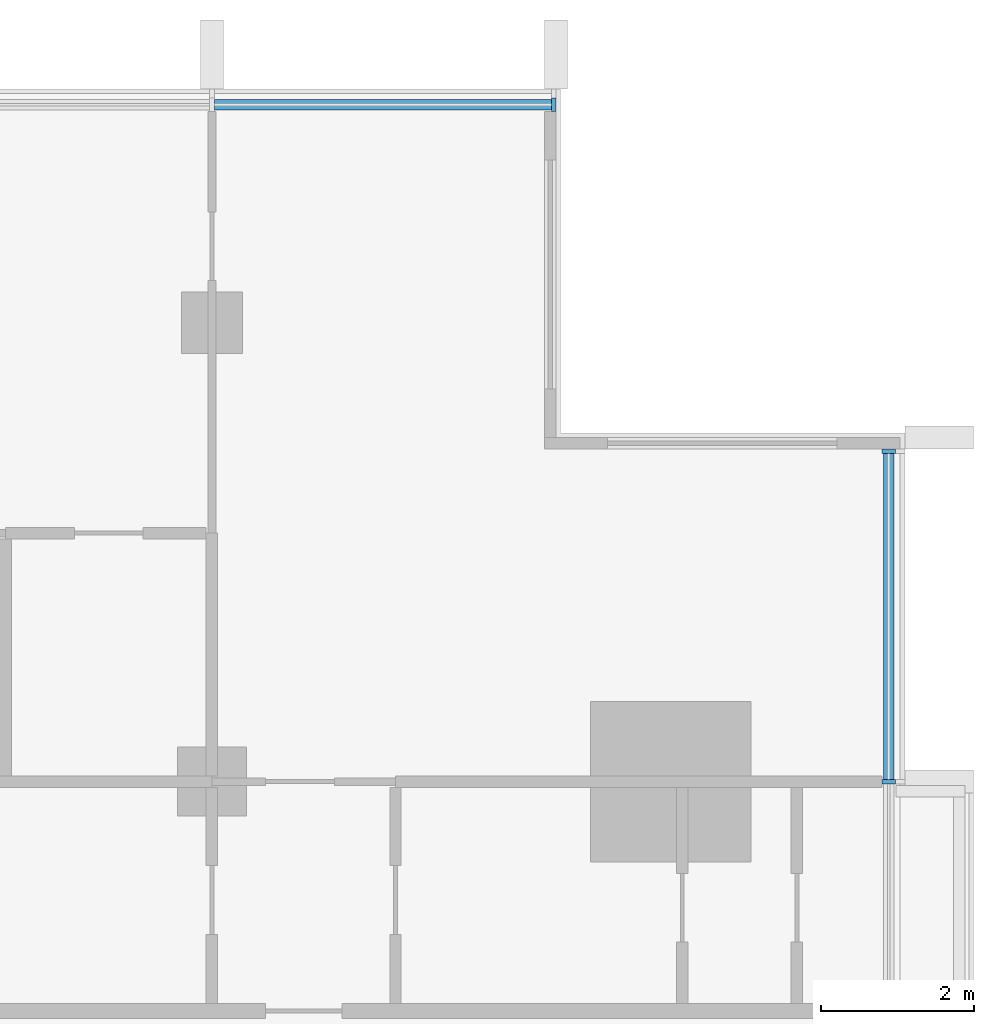
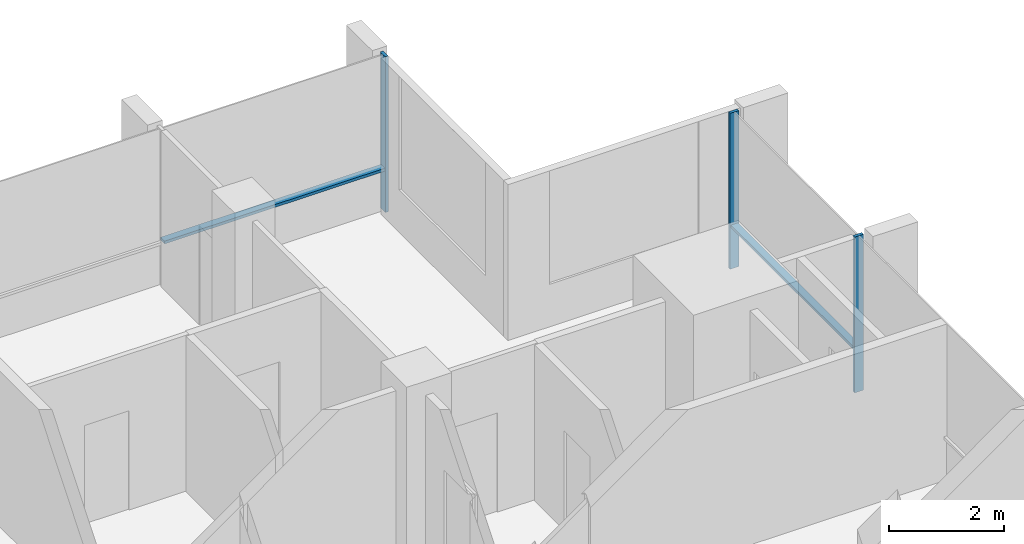
# One storey, part 5 of 16: 5 members, 2 elements without a shape of their own.
"""IFC4 building model written with IfcOpenShell, lengths in metres."""

from ifc_helpers import new_model, si_unit, direction, frame, origin, origin_2d, place, context, subcontext, project, spatial, rectangle, extrude, material, material_profile, profile_set, type_object, element, aggregate, save


model = new_model("IFC4")

# Units and contexts
model_context = context("Model", 3, precision=1e-05, world=origin(), true_north=direction((0.0, 1.0)))
body_context = subcontext(model_context, "Body", "Model", "MODEL_VIEW")
ifc_project = project(units=[si_unit("LENGTHUNIT", "METRE"), si_unit("AREAUNIT", "SQUARE_METRE"), si_unit("VOLUMEUNIT", "CUBIC_METRE"), si_unit("PLANEANGLEUNIT", "RADIAN"), si_unit("MASSUNIT", "GRAM", prefix="KILO")], contexts=[model_context])

# Site, building, storey
site_placement = place(None, origin())
site = spatial("IfcSite", under=ifc_project, at=site_placement, CompositionType="ELEMENT")
building_placement = place(site_placement, origin())
building = spatial("IfcBuilding", under=site, at=building_placement, Name="Finial Court Residences", CompositionType="ELEMENT")
storey_placement = place(building_placement, frame((0.0, 0.0, 212.300048828125)))
storey = spatial("IfcBuildingStorey", under=building, at=storey_placement, Name="L53", CompositionType="ELEMENT", Elevation=212.300048828125)

# Curtain wall, member
ifc_material = material(Name="Bronze anodised aluminium", Category="aluminium")
curtain_wall_type = type_object("IfcCurtainWallType", Name="Unitised curtain wall, upper zones", PredefinedType="NOTDEFINED", material=ifc_material)
curtain_wall_1_placement = place(storey_placement, origin())
curtain_wall_1 = element("IfcCurtainWall", 1, at=curtain_wall_1_placement, inside=storey, type_object=curtain_wall_type, Name="E-L53-CW-N3", PredefinedType="NOTDEFINED")
ifc_material_profile_1 = material_profile(ifc_material, rectangle(XDim=0.175048828125, YDim=0.06005859375, at=origin_2d()), Name="CW2 mullion 60 x 175")
ifc_profile_set_1 = profile_set([ifc_material_profile_1], Name="Bronze anodised aluminium")
member_type_1 = type_object("IfcMemberType", Name="CW2 mullion 60 x 175", PredefinedType="MULLION", material=ifc_profile_set_1)
member_1_placement = place(storey_placement, frame((14.969970703125, 16.35009765625, 0.0), z_axis=(0.0, 0.0, 1.0), x_axis=(0.0, 1.0, 0.0)))
member_1 = element("IfcMember", 2, at=member_1_placement, type_object=member_type_1, Name="CW2 mullion 3", PredefinedType="MULLION", context=body_context, shape_type="SweptSolid", body=[
    extrude(rectangle(XDim=0.175048828125, YDim=0.06005859375, at=origin_2d()), origin(), (0.0, 0.0, 1.0), 3.300048828125),
])

# Curtain wall, members
curtain_wall_2_placement = place(storey_placement, origin())
curtain_wall_2 = element("IfcCurtainWall", 3, at=curtain_wall_2_placement, inside=storey, type_object=curtain_wall_type, Name="E-L53-CW-E6", PredefinedType="NOTDEFINED")
member_2_placement = place(storey_placement, frame((19.35009765625, 7.5, 0.0), z_axis=(0.0, 0.0, 1.0), x_axis=(-1.0, 0.0, 0.0)))
member_2 = element("IfcMember", 4, at=member_2_placement, type_object=member_type_1, Name="CW2 mullion 2", PredefinedType="MULLION", context=body_context, shape_type="SweptSolid", body=[
    extrude(rectangle(XDim=0.175048828125, YDim=0.06005859375, at=origin_2d()), origin(), (0.0, 0.0, 1.0), 3.300048828125),
])
member_3_placement = place(storey_placement, frame((19.35009765625, 11.820068359375, 0.0), z_axis=(0.0, 0.0, 1.0), x_axis=(-1.0, 0.0, 0.0)))
member_3 = element("IfcMember", 5, at=member_3_placement, type_object=member_type_1, Name="CW2 mullion 3", PredefinedType="MULLION", context=body_context, shape_type="SweptSolid", body=[
    extrude(rectangle(XDim=0.175048828125, YDim=0.06005859375, at=origin_2d()), origin(), (0.0, 0.0, 1.0), 3.300048828125),
])

# Member
ifc_material_profile_2 = material_profile(ifc_material, rectangle(XDim=0.139892578125, YDim=0.06005859375, at=origin_2d()), Name="CW2 transom 60 x 140")
ifc_profile_set_2 = profile_set([ifc_material_profile_2], Name="Bronze anodised aluminium")
member_type_2 = type_object("IfcMemberType", Name="CW2 transom 60 x 140", PredefinedType="USERDEFINED", material=ifc_profile_set_2)
member_4_placement = place(storey_placement, frame((10.530029296875, 16.35009765625, 0.89990234375), z_axis=(1.0, 0.0, 0.0), x_axis=(0.0, 1.0, 0.0)))
member_4 = element("IfcMember", 6, at=member_4_placement, type_object=member_type_2, Name="CW2 transom 2.1", ObjectType="TRANSOM", PredefinedType="USERDEFINED", context=body_context, shape_type="SweptSolid", body=[
    extrude(rectangle(XDim=0.139892578125, YDim=0.06005859375, at=origin_2d()), origin(), (0.0, 0.0, 1.0), 4.409912109375),
])

aggregate(curtain_wall_1, [member_1, member_4])

member_5_placement = place(storey_placement, frame((19.35009765625, 7.530029296875, 0.89990234375), z_axis=(0.0, 1.0, 0.0), x_axis=(-1.0, 0.0, 0.0)))
member_5 = element("IfcMember", 7, at=member_5_placement, type_object=member_type_2, Name="CW2 transom 2.1", ObjectType="TRANSOM", PredefinedType="USERDEFINED", context=body_context, shape_type="SweptSolid", body=[
    extrude(rectangle(XDim=0.139892578125, YDim=0.06005859375, at=origin_2d()), origin(), (0.0, 0.0, 1.0), 4.260009765625),
])

aggregate(curtain_wall_2, [member_2, member_3, member_5])

save(model, "model.ifc")
